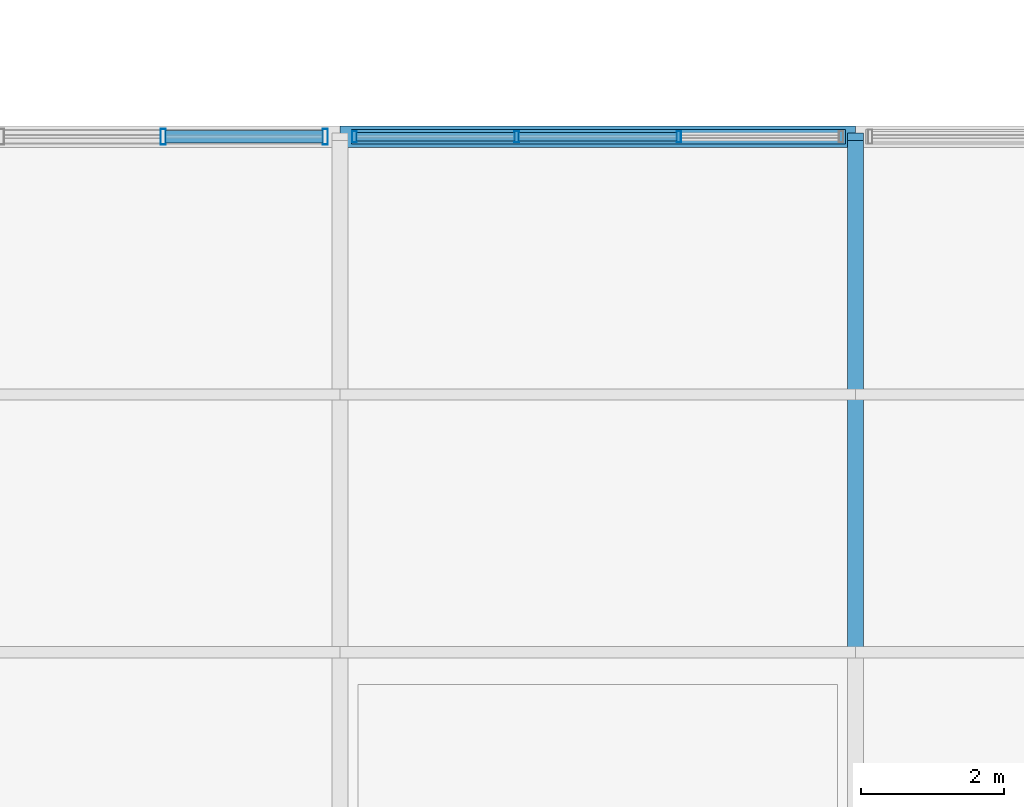
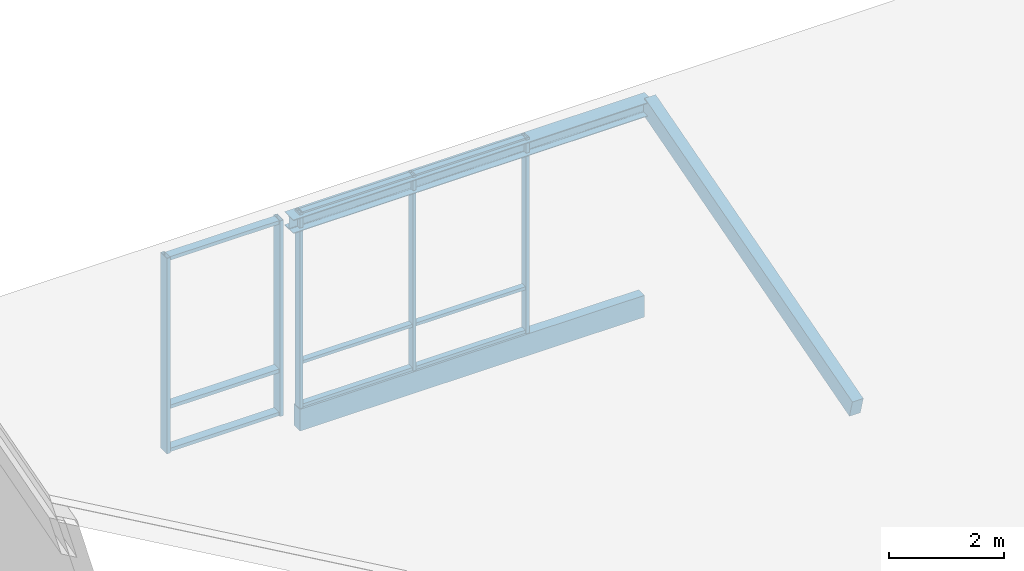
# One storey, part 4 of 32: 15 members, 2 beams, 2 elements without a shape of their own.
"""IFC4 building model written with IfcOpenShell, lengths in metres."""

from ifc_helpers import new_model, si_unit, direction, frame, origin, origin_2d, place, context, subcontext, project, spatial, rectangle, hollow_rectangle, i_section, extrude, material, material_profile, profile_set, type_object, element, aggregate, save


model = new_model("IFC4")

# Units and contexts
model_context = context("Model", 3, precision=1e-05, world=origin(), true_north=direction((0.0, 1.0)))
body_context = subcontext(model_context, "Body", "Model", "MODEL_VIEW")
ifc_project = project(units=[si_unit("LENGTHUNIT", "METRE"), si_unit("AREAUNIT", "SQUARE_METRE"), si_unit("VOLUMEUNIT", "CUBIC_METRE"), si_unit("PLANEANGLEUNIT", "RADIAN"), si_unit("MASSUNIT", "GRAM", prefix="KILO")], contexts=[model_context])

# Site, building, storey
site_placement = place(None, origin())
site = spatial("IfcSite", under=ifc_project, at=site_placement, CompositionType="ELEMENT")
building_placement = place(site_placement, origin())
building = spatial("IfcBuilding", under=site, at=building_placement, Name="Hawrajan Terrace Health Centre", CompositionType="ELEMENT")
storey_placement = place(building_placement, frame((0.0, 0.0, 17.39990234375)))
storey = spatial("IfcBuildingStorey", under=building, at=storey_placement, Name="L04", CompositionType="ELEMENT", Elevation=17.39990234375)

# Curtain wall, members
ifc_material_1 = material(Name="Anodized bronze aluminium and low-E solar glazing", Category="aluminium")
curtain_wall_type = type_object("IfcCurtainWallType", Name="CW_Clerestory_SeriesG1", PredefinedType="USERDEFINED", material=ifc_material_1)
curtain_wall_1_placement = place(storey_placement, origin())
curtain_wall_1 = element("IfcCurtainWall", 1, at=curtain_wall_1_placement, inside=storey, type_object=curtain_wall_type, Name="Curtain wall CW-L04-CLER-180", ObjectType="UNITISED CURTAIN WALL", PredefinedType="USERDEFINED")
ifc_material_2 = material(Name="Anodized bronze aluminium 6063-T6", Category="aluminium")
ifc_material_profile_1 = material_profile(ifc_material_2, hollow_rectangle(XDim=0.06494140625, YDim=0.159912109375, WallThickness=0.00390625, at=origin_2d()), Name="CW MUL 65x160")
ifc_profile_set_1 = profile_set([ifc_material_profile_1], Name="Anodized bronze aluminium 6063-T6")
member_type_1 = type_object("IfcMemberType", Name="CWMullion_65x160", PredefinedType="MULLION", material=ifc_profile_set_1)
member_1_placement = place(storey_placement, frame((55.202392578125, 18.60009765625, -0.204833984375), z_axis=(0.0, 0.0, 1.0), x_axis=(1.0, 0.0, 0.0)))
member_1 = element("IfcMember", 2, at=member_1_placement, type_object=member_type_1, Name="Mullion CW-L04-CLER-180-M1", PredefinedType="MULLION", context=body_context, shape_type="SweptSolid", body=[
    extrude(hollow_rectangle(XDim=0.06494140625, YDim=0.159912109375, WallThickness=0.00390625, at=origin_2d()), origin(), (0.0, 0.0, 1.0), 4.138916015625),
])
member_2_placement = place(storey_placement, frame((57.467529296875, 18.60009765625, -0.204833984375), z_axis=(0.0, 0.0, 1.0), x_axis=(1.0, 0.0, 0.0)))
member_2 = element("IfcMember", 3, at=member_2_placement, type_object=member_type_1, Name="Mullion CW-L04-CLER-180-M2", PredefinedType="MULLION", context=body_context, shape_type="SweptSolid", body=[
    extrude(hollow_rectangle(XDim=0.06494140625, YDim=0.159912109375, WallThickness=0.00390625, at=origin_2d()), origin(), (0.0, 0.0, 1.0), 4.138916015625),
])
member_3_placement = place(storey_placement, frame((59.732421875, 18.60009765625, -0.204833984375), z_axis=(0.0, 0.0, 1.0), x_axis=(1.0, 0.0, 0.0)))
member_3 = element("IfcMember", 4, at=member_3_placement, type_object=member_type_1, Name="Mullion CW-L04-CLER-180-M3", PredefinedType="MULLION", context=body_context, shape_type="SweptSolid", body=[
    extrude(hollow_rectangle(XDim=0.06494140625, YDim=0.159912109375, WallThickness=0.00390625, at=origin_2d()), origin(), (0.0, 0.0, 1.0), 4.138916015625),
])

curtain_wall_2_placement = place(storey_placement, origin())
curtain_wall_2 = element("IfcCurtainWall", 5, at=curtain_wall_2_placement, inside=storey, type_object=curtain_wall_type, Name="Curtain wall CW-L04-CLER-179", ObjectType="UNITISED CURTAIN WALL", PredefinedType="USERDEFINED")
ifc_material_profile_2 = material_profile(ifc_material_2, hollow_rectangle(XDim=0.074951171875, YDim=0.219970703125, WallThickness=0.0048828125, at=origin_2d()), Name="CW MUL 75x220")
ifc_profile_set_2 = profile_set([ifc_material_profile_2], Name="Anodized bronze aluminium 6063-T6")
member_type_2 = type_object("IfcMemberType", Name="CWMullion_75x220", PredefinedType="MULLION", material=ifc_profile_set_2)
member_4_placement = place(storey_placement, frame((52.53076171875, 18.60009765625, -0.204833984375), z_axis=(0.0, 0.0, 1.0), x_axis=(1.0, 0.0, 0.0)))
member_4 = element("IfcMember", 6, at=member_4_placement, type_object=member_type_2, Name="Mullion CW-L04-CLER-179-M3", PredefinedType="MULLION", context=body_context, shape_type="SweptSolid", body=[
    extrude(hollow_rectangle(XDim=0.074951171875, YDim=0.219970703125, WallThickness=0.0048828125, at=origin_2d()), origin(), (0.0, 0.0, 1.0), 4.138916015625),
])
member_5_placement = place(storey_placement, frame((54.79248046875, 18.60009765625, -0.204833984375), z_axis=(0.0, 0.0, 1.0), x_axis=(1.0, 0.0, 0.0)))
member_5 = element("IfcMember", 7, at=member_5_placement, type_object=member_type_2, Name="Mullion CW-L04-CLER-179-M4", PredefinedType="MULLION", context=body_context, shape_type="SweptSolid", body=[
    extrude(hollow_rectangle(XDim=0.074951171875, YDim=0.219970703125, WallThickness=0.0048828125, at=origin_2d()), origin(), (0.0, 0.0, 1.0), 4.138916015625),
])

# Member
ifc_material_profile_3 = material_profile(ifc_material_2, hollow_rectangle(XDim=0.06494140625, YDim=0.1201171875, WallThickness=0.00341796875, at=origin_2d()), Name="CW TRN 65x120")
ifc_profile_set_3 = profile_set([ifc_material_profile_3], Name="Anodized bronze aluminium 6063-T6")
member_type_3 = type_object("IfcMemberType", Name="CWTransom_65x120", PredefinedType="USERDEFINED", material=ifc_profile_set_3)
member_6_placement = place(storey_placement, frame((55.22900390625, 18.60009765625, -0.16748046875), z_axis=(1.0, 0.0, 0.0), x_axis=(0.0, 0.0, 1.0)))
member_6 = element("IfcMember", 8, at=member_6_placement, type_object=member_type_3, Name="Transom CW-L04-CLER-180-T1-1", ObjectType="TRANSOM", PredefinedType="USERDEFINED", context=body_context, shape_type="SweptSolid", body=[
    extrude(hollow_rectangle(XDim=0.06494140625, YDim=0.1201171875, WallThickness=0.00341796875, at=origin_2d()), origin(), (0.0, 0.0, 1.0), 2.2119140625),
])

member_7_placement = place(storey_placement, frame((55.22900390625, 18.60009765625, 0.75), z_axis=(1.0, 0.0, 0.0), x_axis=(0.0, 0.0, 1.0)))
member_7 = element("IfcMember", 9, at=member_7_placement, type_object=member_type_3, Name="Transom CW-L04-CLER-180-T1-2", ObjectType="TRANSOM", PredefinedType="USERDEFINED", context=body_context, shape_type="SweptSolid", body=[
    extrude(hollow_rectangle(XDim=0.06494140625, YDim=0.1201171875, WallThickness=0.00341796875, at=origin_2d()), origin(), (0.0, 0.0, 1.0), 2.2119140625),
])

member_8_placement = place(storey_placement, frame((55.22900390625, 18.60009765625, 3.896728515625), z_axis=(1.0, 0.0, 0.0), x_axis=(0.0, 0.0, 1.0)))
member_8 = element("IfcMember", 10, at=member_8_placement, type_object=member_type_3, Name="Transom CW-L04-CLER-180-T1-3", ObjectType="TRANSOM", PredefinedType="USERDEFINED", context=body_context, shape_type="SweptSolid", body=[
    extrude(hollow_rectangle(XDim=0.06494140625, YDim=0.1201171875, WallThickness=0.00341796875, at=origin_2d()), origin(), (0.0, 0.0, 1.0), 2.2119140625),
])

member_9_placement = place(storey_placement, frame((57.493896484375, 18.60009765625, -0.16748046875), z_axis=(1.0, 0.0, 0.0), x_axis=(0.0, 0.0, 1.0)))
member_9 = element("IfcMember", 11, at=member_9_placement, type_object=member_type_3, Name="Transom CW-L04-CLER-180-T2-1", ObjectType="TRANSOM", PredefinedType="USERDEFINED", context=body_context, shape_type="SweptSolid", body=[
    extrude(hollow_rectangle(XDim=0.06494140625, YDim=0.1201171875, WallThickness=0.00341796875, at=origin_2d()), origin(), (0.0, 0.0, 1.0), 2.212158203125),
])

member_10_placement = place(storey_placement, frame((57.493896484375, 18.60009765625, 0.75), z_axis=(1.0, 0.0, 0.0), x_axis=(0.0, 0.0, 1.0)))
member_10 = element("IfcMember", 12, at=member_10_placement, type_object=member_type_3, Name="Transom CW-L04-CLER-180-T2-2", ObjectType="TRANSOM", PredefinedType="USERDEFINED", context=body_context, shape_type="SweptSolid", body=[
    extrude(hollow_rectangle(XDim=0.06494140625, YDim=0.1201171875, WallThickness=0.00341796875, at=origin_2d()), origin(), (0.0, 0.0, 1.0), 2.212158203125),
])

member_11_placement = place(storey_placement, frame((57.493896484375, 18.60009765625, 3.896728515625), z_axis=(1.0, 0.0, 0.0), x_axis=(0.0, 0.0, 1.0)))
member_11 = element("IfcMember", 13, at=member_11_placement, type_object=member_type_3, Name="Transom CW-L04-CLER-180-T2-3", ObjectType="TRANSOM", PredefinedType="USERDEFINED", context=body_context, shape_type="SweptSolid", body=[
    extrude(hollow_rectangle(XDim=0.06494140625, YDim=0.1201171875, WallThickness=0.00341796875, at=origin_2d()), origin(), (0.0, 0.0, 1.0), 2.212158203125),
])

aggregate(curtain_wall_1, [member_1, member_2, member_3, member_6, member_7, member_8, member_9, member_10, member_11])

ifc_material_profile_4 = material_profile(ifc_material_2, hollow_rectangle(XDim=0.074951171875, YDim=0.169921875, WallThickness=0.00439453125, at=origin_2d()), Name="CW TRN 75x170")
ifc_profile_set_4 = profile_set([ifc_material_profile_4], Name="Anodized bronze aluminium 6063-T6")
member_type_4 = type_object("IfcMemberType", Name="CWTransom_75x170", PredefinedType="USERDEFINED", material=ifc_profile_set_4)
member_12_placement = place(storey_placement, frame((52.562255859375, 18.60009765625, -0.162353515625), z_axis=(1.0, 0.0, 0.0), x_axis=(0.0, 0.0, 1.0)))
member_12 = element("IfcMember", 14, at=member_12_placement, type_object=member_type_4, Name="Transom CW-L04-CLER-179-T3-1", ObjectType="TRANSOM", PredefinedType="USERDEFINED", context=body_context, shape_type="SweptSolid", body=[
    extrude(hollow_rectangle(XDim=0.074951171875, YDim=0.169921875, WallThickness=0.00439453125, at=origin_2d()), origin(), (0.0, 0.0, 1.0), 2.19873046875),
])

member_13_placement = place(storey_placement, frame((52.562255859375, 18.60009765625, 0.75), z_axis=(1.0, 0.0, 0.0), x_axis=(0.0, 0.0, 1.0)))
member_13 = element("IfcMember", 15, at=member_13_placement, type_object=member_type_4, Name="Transom CW-L04-CLER-179-T3-2", ObjectType="TRANSOM", PredefinedType="USERDEFINED", context=body_context, shape_type="SweptSolid", body=[
    extrude(hollow_rectangle(XDim=0.074951171875, YDim=0.169921875, WallThickness=0.00439453125, at=origin_2d()), origin(), (0.0, 0.0, 1.0), 2.19873046875),
])

member_14_placement = place(storey_placement, frame((52.562255859375, 18.60009765625, 3.8916015625), z_axis=(1.0, 0.0, 0.0), x_axis=(0.0, 0.0, 1.0)))
member_14 = element("IfcMember", 16, at=member_14_placement, type_object=member_type_4, Name="Transom CW-L04-CLER-179-T3-3", ObjectType="TRANSOM", PredefinedType="USERDEFINED", context=body_context, shape_type="SweptSolid", body=[
    extrude(hollow_rectangle(XDim=0.074951171875, YDim=0.169921875, WallThickness=0.00439453125, at=origin_2d()), origin(), (0.0, 0.0, 1.0), 2.19873046875),
])

aggregate(curtain_wall_2, [member_4, member_5, member_12, member_13, member_14])

# Beam
ifc_material_3 = material(Name="Glulam GL32h", Category="wood")
ifc_material_profile_5 = material_profile(ifc_material_3, rectangle(XDim=0.199951171875, YDim=0.4599609375, at=origin_2d()), Name="GL SP 200x460")
ifc_profile_set_5 = profile_set([ifc_material_profile_5], Name="Glulam GL32h")
beam_type_1 = type_object("IfcBeamType", Name="GlulamSpandrel_200x460", PredefinedType="SPANDREL", material=ifc_profile_set_5)
beam_1_placement = place(storey_placement, frame((55.159912109375, 18.60009765625, -0.429931640625), z_axis=(1.0, 0.0, 0.0), x_axis=(0.0, 1.0, 0.0)))
element("IfcBeam", 17, at=beam_1_placement, inside=storey, type_object=beam_type_1, Name="Beam BM-X-L04-W-08-Y3", PredefinedType="SPANDREL", context=body_context, shape_type="SweptSolid", body=[
    extrude(rectangle(XDim=0.199951171875, YDim=0.4599609375, at=origin_2d()), origin(), (0.0, 0.0, 1.0), 6.900146484375),
])

# Member
ifc_material_profile_6 = material_profile(ifc_material_3, rectangle(XDim=0.219970703125, YDim=0.3798828125, at=origin_2d()), Name="GL CHD 220x380")
ifc_profile_set_6 = profile_set([ifc_material_profile_6], Name="Glulam GL32h")
member_type_5 = type_object("IfcMemberType", Name="RoofRafter_220x380", PredefinedType="RAFTER", material=ifc_profile_set_6)
member_15_placement = place(storey_placement, frame((62.199951171875, 11.39990234375, 1.684814453125), z_axis=(0.0, 0.961267697111, 0.275616426379), x_axis=(-1.0, 0.0, 0.0)))
element("IfcMember", 18, at=member_15_placement, inside=storey, type_object=member_type_5, Name="North-light rafter N W-G09", PredefinedType="RAFTER", context=body_context, shape_type="SweptSolid", body=[
    extrude(rectangle(XDim=0.219970703125, YDim=0.3798828125, at=origin_2d()), origin(), (0.0, 0.0, 1.0), 7.490234375),
])

# Beam
ifc_material_4 = material(Name="Steel S355", Category="steel")
ifc_material_profile_7 = material_profile(ifc_material_4, i_section(OverallWidth=0.300048828125, OverallDepth=0.2900390625, WebThickness=0.008544921875, FlangeThickness=0.013916015625, FilletRadius=0.027099609375, at=origin_2d()), Name="HEA 300")
ifc_profile_set_7 = profile_set([ifc_material_profile_7], Name="Steel S355")
beam_type_2 = type_object("IfcBeamType", Name="SteelBeam_HEA300", PredefinedType="BEAM", material=ifc_profile_set_7)
beam_2_placement = place(storey_placement, frame((55.0, 18.60009765625, 3.749267578125), z_axis=(1.0, 0.0, 0.0), x_axis=(0.0, 1.0, 0.0)))
element("IfcBeam", 19, at=beam_2_placement, inside=storey, type_object=beam_type_2, Name="Clerestory head beam W-2", PredefinedType="BEAM", context=body_context, shape_type="SweptSolid", body=[
    extrude(i_section(OverallWidth=0.300048828125, OverallDepth=0.2900390625, WebThickness=0.008544921875, FlangeThickness=0.013916015625, FilletRadius=0.027099609375, at=origin_2d()), origin(), (0.0, 0.0, 1.0), 7.199951171875),
])

save(model, "model.ifc")
